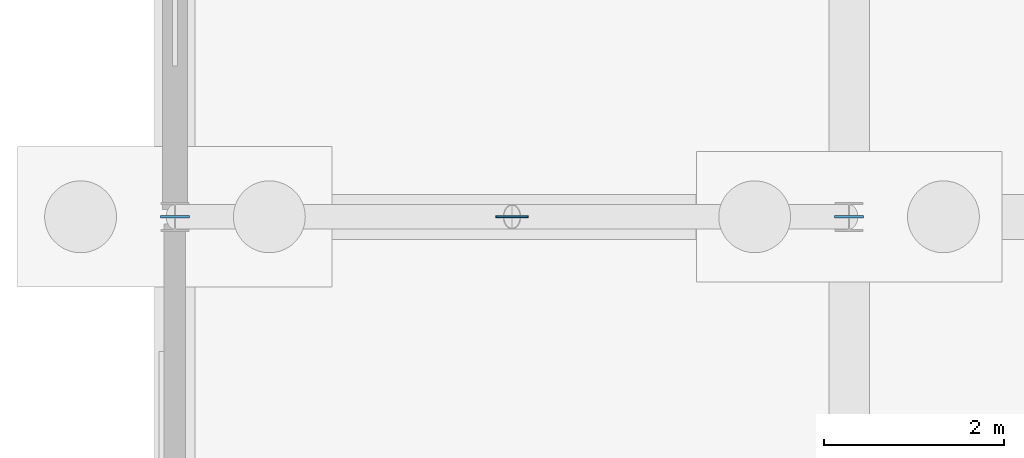
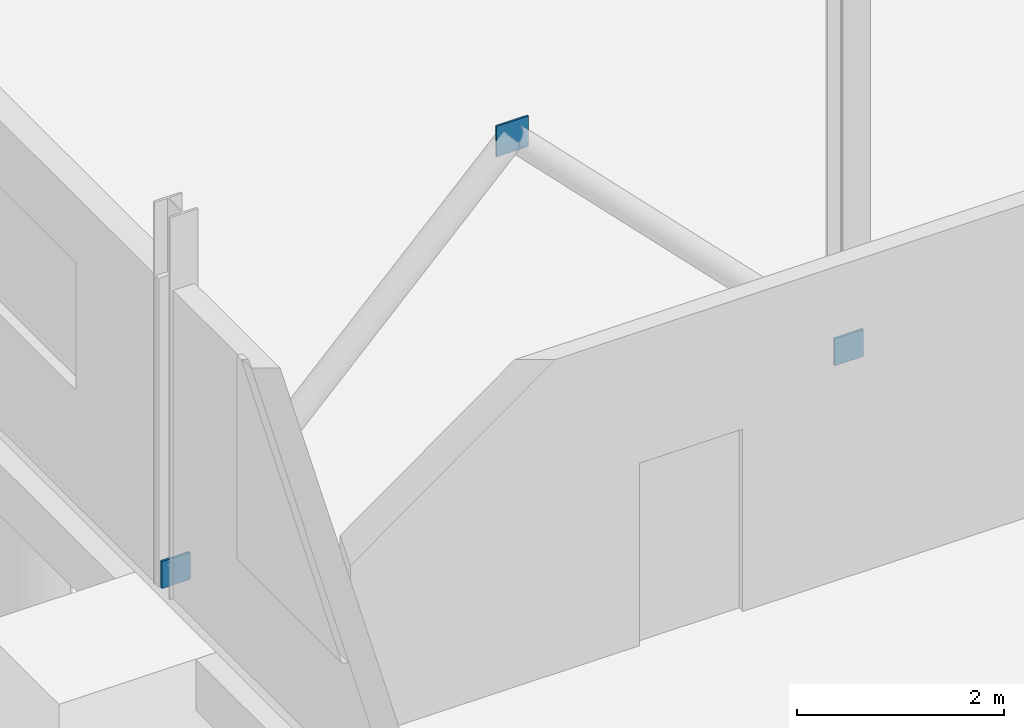
# One storey, part 100 of 136: 3 plates.
"""IFC4 building model written with IfcOpenShell, lengths in metres."""

from ifc_helpers import new_model, si_unit, direction, frame, origin, origin_2d, place, context, subcontext, project, spatial, rectangle, extrude, material, layer, layer_set, type_object, element, save


model = new_model("IFC4")

# Units and contexts
model_context = context("Model", 3, precision=1e-05, world=origin(), true_north=direction((0.0, 1.0)))
body_context = subcontext(model_context, "Body", "Model", "MODEL_VIEW")
ifc_project = project(units=[si_unit("LENGTHUNIT", "METRE"), si_unit("AREAUNIT", "SQUARE_METRE"), si_unit("VOLUMEUNIT", "CUBIC_METRE"), si_unit("PLANEANGLEUNIT", "RADIAN"), si_unit("MASSUNIT", "GRAM", prefix="KILO")], contexts=[model_context])

# Site, building, storey
site_placement = place(None, origin())
site = spatial("IfcSite", under=ifc_project, at=site_placement, CompositionType="ELEMENT")
building_placement = place(site_placement, origin())
building = spatial("IfcBuilding", under=site, at=building_placement, Name="Solvenia Promenade Tram Depot", CompositionType="ELEMENT")
storey_placement = place(building_placement, origin())
storey = spatial("IfcBuildingStorey", under=building, at=storey_placement, Name="L00", CompositionType="ELEMENT", Elevation=0.0)

# Plates
ifc_material = material(Name="Structural steel ASTM A572 Gr. 50", Category="steel")
ifc_layer_1 = layer(ifc_material, 0.02392578125, Name="Structural steel ASTM A572 Gr. 50", Category="steel")
ifc_layer_set_1 = layer_set([ifc_layer_1], Name="Structural steel ASTM A572 Gr. 50")
plate_type_1 = type_object("IfcPlateType", Name="EndCap-CP1", PredefinedType="SHEET", material=ifc_layer_set_1)
for number, where, z_axis, x_axis, name in (
    (1, (0.0, 38.0, 0.0400390625), (0.0, 0.0, 1.0), (1.0, 0.0, 0.0), "Chevron Left Foot Gusset Plate 10"),
    (2, (7.5, 38.0, 0.0400390625), (0.0, 0.0, 1.0), (1.0, 0.0, 0.0), "Chevron Right Foot Gusset Plate 10"),
):
    element("IfcPlate", number, at=place(storey_placement, frame(where, z_axis=z_axis, x_axis=x_axis)), inside=storey, type_object=plate_type_1, Name=name, PredefinedType="SHEET", context=body_context, shape_type="SweptSolid", body=[
        extrude(rectangle(XDim=0.320068359375, YDim=0.02392578125, at=origin_2d()), origin(), (0.0, 0.0, 1.0), 0.320068359375),
    ])
ifc_layer_2 = layer(ifc_material, 0.02197265625, Name="Structural steel ASTM A572 Gr. 50", Category="steel")
ifc_layer_set_2 = layer_set([ifc_layer_2], Name="Structural steel ASTM A572 Gr. 50")
plate_type_2 = type_object("IfcPlateType", Name="EndCap-CP2", PredefinedType="SHEET", material=ifc_layer_set_2)
plate_placement = place(storey_placement, frame((3.75, 38.0, 3.81982421875), z_axis=(0.0, 0.0, 1.0), x_axis=(1.0, 0.0, 0.0)))
element("IfcPlate", 3, at=plate_placement, inside=storey, type_object=plate_type_2, Name="Chevron Gusset Cap Plate 10", PredefinedType="SHEET", context=body_context, shape_type="SweptSolid", body=[
    extrude(rectangle(XDim=0.360107421875, YDim=0.02001953125, at=origin_2d()), origin(), (0.0, 0.0, 1.0), 0.360107421875),
])

save(model, "model.ifc")
